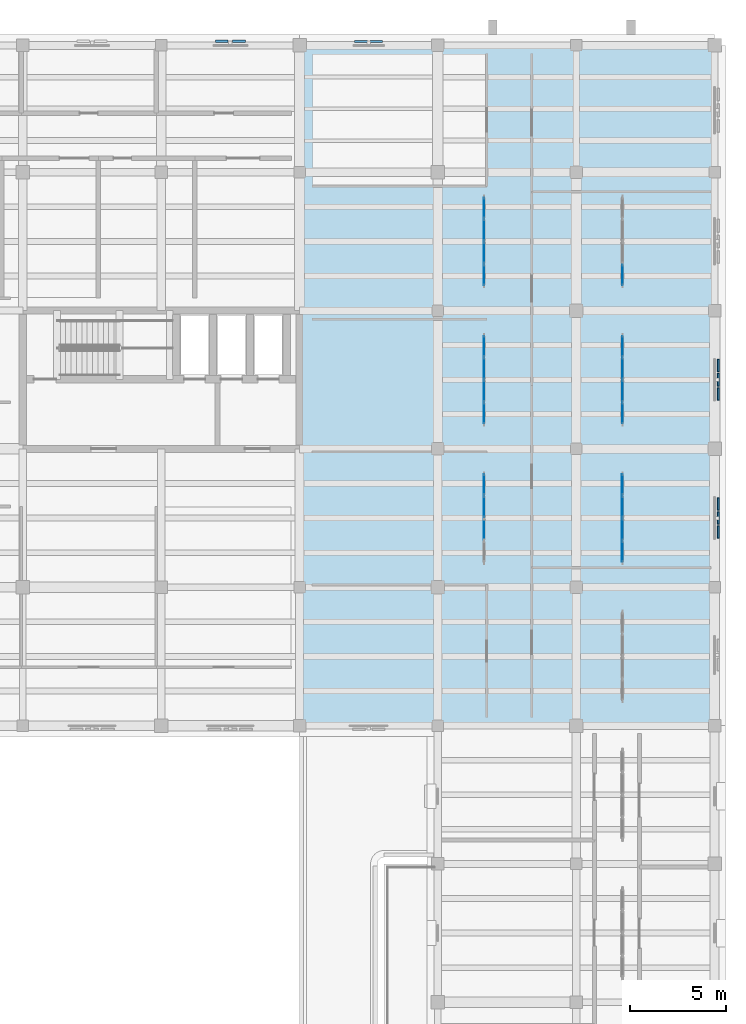
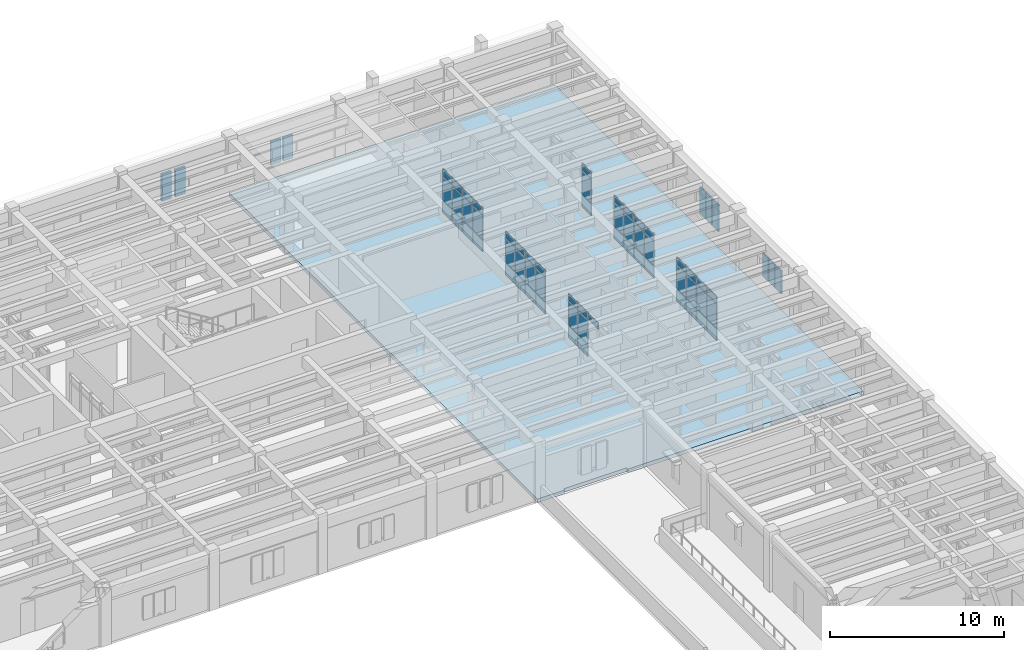
# One storey, part 17 of 40: 68 plates, 1 slab, 6 elements without a shape of their own.
"""IFC4 building model written with IfcOpenShell, lengths in metres."""

from ifc_helpers import new_model, si_unit, direction, frame, origin, origin_2d, place, context, subcontext, project, spatial, polyline, rectangle, outline, extrude, material, layer, layer_set, type_object, element, aggregate, save


model = new_model("IFC4")

# Units and contexts
model_context = context("Model", 3, precision=1e-05, world=origin(), true_north=direction((0.0, 1.0)))
body_context = subcontext(model_context, "Body", "Model", "MODEL_VIEW")
ifc_project = project(units=[si_unit("LENGTHUNIT", "METRE"), si_unit("AREAUNIT", "SQUARE_METRE"), si_unit("VOLUMEUNIT", "CUBIC_METRE"), si_unit("PLANEANGLEUNIT", "RADIAN"), si_unit("MASSUNIT", "GRAM", prefix="KILO")], contexts=[model_context])

# Site, building, storey
site_placement = place(None, origin())
site = spatial("IfcSite", under=ifc_project, at=site_placement, CompositionType="ELEMENT")
building_placement = place(site_placement, origin())
building = spatial("IfcBuilding", under=site, at=building_placement, Name="Mithqara Police Headquarters", CompositionType="ELEMENT")
storey_placement = place(building_placement, frame((0.0, 0.0, 13.800048828125)))
storey = spatial("IfcBuildingStorey", under=building, at=storey_placement, Name="L03", CompositionType="ELEMENT", Elevation=13.800048828125)

# Curtain wall, plates
ifc_material_1 = material(Name="Bronze anodised aluminium 6063-T6", Category="aluminium")
curtain_wall_type = type_object("IfcCurtainWallType", Name="CURTAIN WALL 4700X3220", PredefinedType="USERDEFINED", material=ifc_material_1)
curtain_wall_1_placement = place(storey_placement, origin())
curtain_wall_1 = element("IfcCurtainWall", 1, at=curtain_wall_1_placement, inside=storey, type_object=curtain_wall_type, Name="L03 Unitised Glazing CW-16 (CW-INT-L03-X21-Y12-0)", ObjectType="UNITISED GLAZING", PredefinedType="USERDEFINED")
ifc_material_2 = material(Name="Spectrally selective double low-e glass", Category="glass")
ifc_layer_1 = layer(ifc_material_2, 0.028076171875, Name="Spectrally selective double low-e glass")
ifc_layer_set_1 = layer_set([ifc_layer_1], Name="Spectrally selective double low-e glass")
plate_type_1 = type_object("IfcPlateType", Name="CWPANEL GLASS28", PredefinedType="CURTAIN_PANEL", material=ifc_layer_set_1)
plate_1_placement = place(storey_placement, frame((154.199951171875, 88.8125, 2.70751953125), z_axis=(0.0, 0.0, 1.0), x_axis=(0.0, 1.0, 0.0)))
plate_1 = element("IfcPlate", 2, at=plate_1_placement, type_object=plate_type_1, Name="CW-16 panel 2.3", PredefinedType="CURTAIN_PANEL", context=body_context, shape_type="SweptSolid", body=[
    extrude(rectangle(XDim=1.10009765625, YDim=0.028076171875, at=origin_2d()), origin(), (0.0, 0.0, 1.0), 0.4375),
])
plate_2_placement = place(storey_placement, frame((154.199951171875, 89.987548828125, 0.074951171875), z_axis=(0.0, 0.0, 1.0), x_axis=(0.0, 1.0, 0.0)))
plate_2 = element("IfcPlate", 3, at=plate_2_placement, type_object=plate_type_1, Name="CW-16 panel 3.1", PredefinedType="CURTAIN_PANEL", context=body_context, shape_type="SweptSolid", body=[
    extrude(rectangle(XDim=1.10009765625, YDim=0.028076171875, at=origin_2d()), origin(), (0.0, 0.0, 1.0), 0.78759765625),
])
plate_3_placement = place(storey_placement, frame((154.199951171875, 89.987548828125, 0.9375), z_axis=(0.0, 0.0, 1.0), x_axis=(0.0, 1.0, 0.0)))
plate_3 = element("IfcPlate", 4, at=plate_3_placement, type_object=plate_type_1, Name="CW-16 panel 3.2", PredefinedType="CURTAIN_PANEL", context=body_context, shape_type="SweptSolid", body=[
    extrude(rectangle(XDim=1.10009765625, YDim=0.028076171875, at=origin_2d()), origin(), (0.0, 0.0, 1.0), 1.695068359375),
])
plate_4_placement = place(storey_placement, frame((154.199951171875, 89.987548828125, 2.70751953125), z_axis=(0.0, 0.0, 1.0), x_axis=(0.0, 1.0, 0.0)))
plate_4 = element("IfcPlate", 5, at=plate_4_placement, type_object=plate_type_1, Name="CW-16 panel 3.3", PredefinedType="CURTAIN_PANEL", context=body_context, shape_type="SweptSolid", body=[
    extrude(rectangle(XDim=1.10009765625, YDim=0.028076171875, at=origin_2d()), origin(), (0.0, 0.0, 1.0), 0.4375),
])
plate_5_placement = place(storey_placement, frame((154.199951171875, 91.143798828125, 0.074951171875), z_axis=(0.0, 0.0, 1.0), x_axis=(0.0, 1.0, 0.0)))
plate_5 = element("IfcPlate", 6, at=plate_5_placement, type_object=plate_type_1, Name="CW-16 panel 4.1", PredefinedType="CURTAIN_PANEL", context=body_context, shape_type="SweptSolid", body=[
    extrude(rectangle(XDim=1.0625, YDim=0.028076171875, at=origin_2d()), origin(), (0.0, 0.0, 1.0), 0.78759765625),
])
plate_6_placement = place(storey_placement, frame((154.199951171875, 91.143798828125, 0.9375), z_axis=(0.0, 0.0, 1.0), x_axis=(0.0, 1.0, 0.0)))
plate_6 = element("IfcPlate", 7, at=plate_6_placement, type_object=plate_type_1, Name="CW-16 panel 4.2", PredefinedType="CURTAIN_PANEL", context=body_context, shape_type="SweptSolid", body=[
    extrude(rectangle(XDim=1.0625, YDim=0.028076171875, at=origin_2d()), origin(), (0.0, 0.0, 1.0), 1.695068359375),
])
plate_7_placement = place(storey_placement, frame((154.199951171875, 91.143798828125, 2.70751953125), z_axis=(0.0, 0.0, 1.0), x_axis=(0.0, 1.0, 0.0)))
plate_7 = element("IfcPlate", 8, at=plate_7_placement, type_object=plate_type_1, Name="CW-16 panel 4.3", PredefinedType="CURTAIN_PANEL", context=body_context, shape_type="SweptSolid", body=[
    extrude(rectangle(XDim=1.0625, YDim=0.028076171875, at=origin_2d()), origin(), (0.0, 0.0, 1.0), 0.4375),
])
aggregate(curtain_wall_1, [plate_1, plate_2, plate_3, plate_4, plate_5, plate_6, plate_7])

curtain_wall_2_placement = place(storey_placement, origin())
curtain_wall_2 = element("IfcCurtainWall", 9, at=curtain_wall_2_placement, inside=storey, type_object=curtain_wall_type, Name="L03 Unitised Glazing CW-16 (CW-INT-L03-X21-Y13-0)", ObjectType="UNITISED GLAZING", PredefinedType="USERDEFINED")
plate_8_placement = place(storey_placement, frame((154.199951171875, 94.856201171875, 0.074951171875), z_axis=(0.0, 0.0, 1.0), x_axis=(0.0, 1.0, 0.0)))
plate_8 = element("IfcPlate", 10, at=plate_8_placement, type_object=plate_type_1, Name="CW-16 panel 1.1", PredefinedType="CURTAIN_PANEL", context=body_context, shape_type="SweptSolid", body=[
    extrude(rectangle(XDim=1.0625, YDim=0.028076171875, at=origin_2d()), origin(), (0.0, 0.0, 1.0), 0.78759765625),
])
plate_9_placement = place(storey_placement, frame((154.199951171875, 94.856201171875, 0.9375), z_axis=(0.0, 0.0, 1.0), x_axis=(0.0, 1.0, 0.0)))
plate_9 = element("IfcPlate", 11, at=plate_9_placement, type_object=plate_type_1, Name="CW-16 panel 1.2", PredefinedType="CURTAIN_PANEL", context=body_context, shape_type="SweptSolid", body=[
    extrude(rectangle(XDim=1.0625, YDim=0.028076171875, at=origin_2d()), origin(), (0.0, 0.0, 1.0), 1.695068359375),
])
plate_10_placement = place(storey_placement, frame((154.199951171875, 94.856201171875, 2.70751953125), z_axis=(0.0, 0.0, 1.0), x_axis=(0.0, 1.0, 0.0)))
plate_10 = element("IfcPlate", 12, at=plate_10_placement, type_object=plate_type_1, Name="CW-16 panel 1.3", PredefinedType="CURTAIN_PANEL", context=body_context, shape_type="SweptSolid", body=[
    extrude(rectangle(XDim=1.0625, YDim=0.028076171875, at=origin_2d()), origin(), (0.0, 0.0, 1.0), 0.4375),
])
plate_11_placement = place(storey_placement, frame((154.199951171875, 96.012451171875, 0.074951171875), z_axis=(0.0, 0.0, 1.0), x_axis=(0.0, 1.0, 0.0)))
plate_11 = element("IfcPlate", 13, at=plate_11_placement, type_object=plate_type_1, Name="CW-16 panel 2.1", PredefinedType="CURTAIN_PANEL", context=body_context, shape_type="SweptSolid", body=[
    extrude(rectangle(XDim=1.10009765625, YDim=0.028076171875, at=origin_2d()), origin(), (0.0, 0.0, 1.0), 0.78759765625),
])
plate_12_placement = place(storey_placement, frame((154.199951171875, 96.012451171875, 0.9375), z_axis=(0.0, 0.0, 1.0), x_axis=(0.0, 1.0, 0.0)))
plate_12 = element("IfcPlate", 14, at=plate_12_placement, type_object=plate_type_1, Name="CW-16 panel 2.2", PredefinedType="CURTAIN_PANEL", context=body_context, shape_type="SweptSolid", body=[
    extrude(rectangle(XDim=1.10009765625, YDim=0.028076171875, at=origin_2d()), origin(), (0.0, 0.0, 1.0), 1.695068359375),
])
plate_13_placement = place(storey_placement, frame((154.199951171875, 96.012451171875, 2.70751953125), z_axis=(0.0, 0.0, 1.0), x_axis=(0.0, 1.0, 0.0)))
plate_13 = element("IfcPlate", 15, at=plate_13_placement, type_object=plate_type_1, Name="CW-16 panel 2.3", PredefinedType="CURTAIN_PANEL", context=body_context, shape_type="SweptSolid", body=[
    extrude(rectangle(XDim=1.10009765625, YDim=0.028076171875, at=origin_2d()), origin(), (0.0, 0.0, 1.0), 0.4375),
])
plate_14_placement = place(storey_placement, frame((154.199951171875, 97.1875, 0.074951171875), z_axis=(0.0, 0.0, 1.0), x_axis=(0.0, 1.0, 0.0)))
plate_14 = element("IfcPlate", 16, at=plate_14_placement, type_object=plate_type_1, Name="CW-16 panel 3.1", PredefinedType="CURTAIN_PANEL", context=body_context, shape_type="SweptSolid", body=[
    extrude(rectangle(XDim=1.10009765625, YDim=0.028076171875, at=origin_2d()), origin(), (0.0, 0.0, 1.0), 0.78759765625),
])
plate_15_placement = place(storey_placement, frame((154.199951171875, 97.1875, 0.9375), z_axis=(0.0, 0.0, 1.0), x_axis=(0.0, 1.0, 0.0)))
plate_15 = element("IfcPlate", 17, at=plate_15_placement, type_object=plate_type_1, Name="CW-16 panel 3.2", PredefinedType="CURTAIN_PANEL", context=body_context, shape_type="SweptSolid", body=[
    extrude(rectangle(XDim=1.10009765625, YDim=0.028076171875, at=origin_2d()), origin(), (0.0, 0.0, 1.0), 1.695068359375),
])
plate_16_placement = place(storey_placement, frame((154.199951171875, 97.1875, 2.70751953125), z_axis=(0.0, 0.0, 1.0), x_axis=(0.0, 1.0, 0.0)))
plate_16 = element("IfcPlate", 18, at=plate_16_placement, type_object=plate_type_1, Name="CW-16 panel 3.3", PredefinedType="CURTAIN_PANEL", context=body_context, shape_type="SweptSolid", body=[
    extrude(rectangle(XDim=1.10009765625, YDim=0.028076171875, at=origin_2d()), origin(), (0.0, 0.0, 1.0), 0.4375),
])
plate_17_placement = place(storey_placement, frame((154.199951171875, 98.34375, 0.074951171875), z_axis=(0.0, 0.0, 1.0), x_axis=(0.0, 1.0, 0.0)))
plate_17 = element("IfcPlate", 19, at=plate_17_placement, type_object=plate_type_1, Name="CW-16 panel 4.1", PredefinedType="CURTAIN_PANEL", context=body_context, shape_type="SweptSolid", body=[
    extrude(rectangle(XDim=1.0625, YDim=0.028076171875, at=origin_2d()), origin(), (0.0, 0.0, 1.0), 0.78759765625),
])
plate_18_placement = place(storey_placement, frame((154.199951171875, 98.34375, 0.9375), z_axis=(0.0, 0.0, 1.0), x_axis=(0.0, 1.0, 0.0)))
plate_18 = element("IfcPlate", 20, at=plate_18_placement, type_object=plate_type_1, Name="CW-16 panel 4.2", PredefinedType="CURTAIN_PANEL", context=body_context, shape_type="SweptSolid", body=[
    extrude(rectangle(XDim=1.0625, YDim=0.028076171875, at=origin_2d()), origin(), (0.0, 0.0, 1.0), 1.695068359375),
])
plate_19_placement = place(storey_placement, frame((154.199951171875, 98.34375, 2.70751953125), z_axis=(0.0, 0.0, 1.0), x_axis=(0.0, 1.0, 0.0)))
plate_19 = element("IfcPlate", 21, at=plate_19_placement, type_object=plate_type_1, Name="CW-16 panel 4.3", PredefinedType="CURTAIN_PANEL", context=body_context, shape_type="SweptSolid", body=[
    extrude(rectangle(XDim=1.0625, YDim=0.028076171875, at=origin_2d()), origin(), (0.0, 0.0, 1.0), 0.4375),
])
aggregate(curtain_wall_2, [plate_8, plate_9, plate_10, plate_11, plate_12, plate_13, plate_14, plate_15, plate_16, plate_17, plate_18, plate_19])

curtain_wall_3_placement = place(storey_placement, origin())
curtain_wall_3 = element("IfcCurtainWall", 22, at=curtain_wall_3_placement, inside=storey, type_object=curtain_wall_type, Name="L03 Unitised Glazing CW-16 (CW-INT-L03-X22-Y13-0)", ObjectType="UNITISED GLAZING", PredefinedType="USERDEFINED")
plate_20_placement = place(storey_placement, frame((161.39990234375, 94.856201171875, 0.074951171875), z_axis=(0.0, 0.0, 1.0), x_axis=(0.0, 1.0, 0.0)))
plate_20 = element("IfcPlate", 23, at=plate_20_placement, type_object=plate_type_1, Name="CW-16 panel 1.1", PredefinedType="CURTAIN_PANEL", context=body_context, shape_type="SweptSolid", body=[
    extrude(rectangle(XDim=1.0625, YDim=0.028076171875, at=origin_2d()), origin(), (0.0, 0.0, 1.0), 0.78759765625),
])
plate_21_placement = place(storey_placement, frame((161.39990234375, 94.856201171875, 0.9375), z_axis=(0.0, 0.0, 1.0), x_axis=(0.0, 1.0, 0.0)))
plate_21 = element("IfcPlate", 24, at=plate_21_placement, type_object=plate_type_1, Name="CW-16 panel 1.2", PredefinedType="CURTAIN_PANEL", context=body_context, shape_type="SweptSolid", body=[
    extrude(rectangle(XDim=1.0625, YDim=0.028076171875, at=origin_2d()), origin(), (0.0, 0.0, 1.0), 1.695068359375),
])
plate_22_placement = place(storey_placement, frame((161.39990234375, 94.856201171875, 2.70751953125), z_axis=(0.0, 0.0, 1.0), x_axis=(0.0, 1.0, 0.0)))
plate_22 = element("IfcPlate", 25, at=plate_22_placement, type_object=plate_type_1, Name="CW-16 panel 1.3", PredefinedType="CURTAIN_PANEL", context=body_context, shape_type="SweptSolid", body=[
    extrude(rectangle(XDim=1.0625, YDim=0.028076171875, at=origin_2d()), origin(), (0.0, 0.0, 1.0), 0.4375),
])
plate_23_placement = place(storey_placement, frame((161.39990234375, 96.012451171875, 0.074951171875), z_axis=(0.0, 0.0, 1.0), x_axis=(0.0, 1.0, 0.0)))
plate_23 = element("IfcPlate", 26, at=plate_23_placement, type_object=plate_type_1, Name="CW-16 panel 2.1", PredefinedType="CURTAIN_PANEL", context=body_context, shape_type="SweptSolid", body=[
    extrude(rectangle(XDim=1.10009765625, YDim=0.028076171875, at=origin_2d()), origin(), (0.0, 0.0, 1.0), 0.78759765625),
])
plate_24_placement = place(storey_placement, frame((161.39990234375, 96.012451171875, 0.9375), z_axis=(0.0, 0.0, 1.0), x_axis=(0.0, 1.0, 0.0)))
plate_24 = element("IfcPlate", 27, at=plate_24_placement, type_object=plate_type_1, Name="CW-16 panel 2.2", PredefinedType="CURTAIN_PANEL", context=body_context, shape_type="SweptSolid", body=[
    extrude(rectangle(XDim=1.10009765625, YDim=0.028076171875, at=origin_2d()), origin(), (0.0, 0.0, 1.0), 1.695068359375),
])
plate_25_placement = place(storey_placement, frame((161.39990234375, 96.012451171875, 2.70751953125), z_axis=(0.0, 0.0, 1.0), x_axis=(0.0, 1.0, 0.0)))
plate_25 = element("IfcPlate", 28, at=plate_25_placement, type_object=plate_type_1, Name="CW-16 panel 2.3", PredefinedType="CURTAIN_PANEL", context=body_context, shape_type="SweptSolid", body=[
    extrude(rectangle(XDim=1.10009765625, YDim=0.028076171875, at=origin_2d()), origin(), (0.0, 0.0, 1.0), 0.4375),
])
plate_26_placement = place(storey_placement, frame((161.39990234375, 97.1875, 0.074951171875), z_axis=(0.0, 0.0, 1.0), x_axis=(0.0, 1.0, 0.0)))
plate_26 = element("IfcPlate", 29, at=plate_26_placement, type_object=plate_type_1, Name="CW-16 panel 3.1", PredefinedType="CURTAIN_PANEL", context=body_context, shape_type="SweptSolid", body=[
    extrude(rectangle(XDim=1.10009765625, YDim=0.028076171875, at=origin_2d()), origin(), (0.0, 0.0, 1.0), 0.78759765625),
])
plate_27_placement = place(storey_placement, frame((161.39990234375, 97.1875, 0.9375), z_axis=(0.0, 0.0, 1.0), x_axis=(0.0, 1.0, 0.0)))
plate_27 = element("IfcPlate", 30, at=plate_27_placement, type_object=plate_type_1, Name="CW-16 panel 3.2", PredefinedType="CURTAIN_PANEL", context=body_context, shape_type="SweptSolid", body=[
    extrude(rectangle(XDim=1.10009765625, YDim=0.028076171875, at=origin_2d()), origin(), (0.0, 0.0, 1.0), 1.695068359375),
])
plate_28_placement = place(storey_placement, frame((161.39990234375, 97.1875, 2.70751953125), z_axis=(0.0, 0.0, 1.0), x_axis=(0.0, 1.0, 0.0)))
plate_28 = element("IfcPlate", 31, at=plate_28_placement, type_object=plate_type_1, Name="CW-16 panel 3.3", PredefinedType="CURTAIN_PANEL", context=body_context, shape_type="SweptSolid", body=[
    extrude(rectangle(XDim=1.10009765625, YDim=0.028076171875, at=origin_2d()), origin(), (0.0, 0.0, 1.0), 0.4375),
])
plate_29_placement = place(storey_placement, frame((161.39990234375, 98.34375, 0.074951171875), z_axis=(0.0, 0.0, 1.0), x_axis=(0.0, 1.0, 0.0)))
plate_29 = element("IfcPlate", 32, at=plate_29_placement, type_object=plate_type_1, Name="CW-16 panel 4.1", PredefinedType="CURTAIN_PANEL", context=body_context, shape_type="SweptSolid", body=[
    extrude(rectangle(XDim=1.0625, YDim=0.028076171875, at=origin_2d()), origin(), (0.0, 0.0, 1.0), 0.78759765625),
])
plate_30_placement = place(storey_placement, frame((161.39990234375, 98.34375, 0.9375), z_axis=(0.0, 0.0, 1.0), x_axis=(0.0, 1.0, 0.0)))
plate_30 = element("IfcPlate", 33, at=plate_30_placement, type_object=plate_type_1, Name="CW-16 panel 4.2", PredefinedType="CURTAIN_PANEL", context=body_context, shape_type="SweptSolid", body=[
    extrude(rectangle(XDim=1.0625, YDim=0.028076171875, at=origin_2d()), origin(), (0.0, 0.0, 1.0), 1.695068359375),
])
plate_31_placement = place(storey_placement, frame((161.39990234375, 98.34375, 2.70751953125), z_axis=(0.0, 0.0, 1.0), x_axis=(0.0, 1.0, 0.0)))
plate_31 = element("IfcPlate", 34, at=plate_31_placement, type_object=plate_type_1, Name="CW-16 panel 4.3", PredefinedType="CURTAIN_PANEL", context=body_context, shape_type="SweptSolid", body=[
    extrude(rectangle(XDim=1.0625, YDim=0.028076171875, at=origin_2d()), origin(), (0.0, 0.0, 1.0), 0.4375),
])
aggregate(curtain_wall_3, [plate_20, plate_21, plate_22, plate_23, plate_24, plate_25, plate_26, plate_27, plate_28, plate_29, plate_30, plate_31])

curtain_wall_4_placement = place(storey_placement, origin())
curtain_wall_4 = element("IfcCurtainWall", 35, at=curtain_wall_4_placement, inside=storey, type_object=curtain_wall_type, Name="L03 Unitised Glazing CW-16 (CW-INT-L03-X22-Y14-0)", ObjectType="UNITISED GLAZING", PredefinedType="USERDEFINED")
plate_32_placement = place(storey_placement, frame((161.39990234375, 102.05615234375, 0.074951171875), z_axis=(0.0, 0.0, 1.0), x_axis=(0.0, 1.0, 0.0)))
plate_32 = element("IfcPlate", 36, at=plate_32_placement, type_object=plate_type_1, Name="CW-16 panel 1.1", PredefinedType="CURTAIN_PANEL", context=body_context, shape_type="SweptSolid", body=[
    extrude(rectangle(XDim=1.0625, YDim=0.028076171875, at=origin_2d()), origin(), (0.0, 0.0, 1.0), 0.78759765625),
])
plate_33_placement = place(storey_placement, frame((161.39990234375, 102.05615234375, 0.9375), z_axis=(0.0, 0.0, 1.0), x_axis=(0.0, 1.0, 0.0)))
plate_33 = element("IfcPlate", 37, at=plate_33_placement, type_object=plate_type_1, Name="CW-16 panel 1.2", PredefinedType="CURTAIN_PANEL", context=body_context, shape_type="SweptSolid", body=[
    extrude(rectangle(XDim=1.0625, YDim=0.028076171875, at=origin_2d()), origin(), (0.0, 0.0, 1.0), 1.695068359375),
])
plate_34_placement = place(storey_placement, frame((161.39990234375, 102.05615234375, 2.70751953125), z_axis=(0.0, 0.0, 1.0), x_axis=(0.0, 1.0, 0.0)))
plate_34 = element("IfcPlate", 38, at=plate_34_placement, type_object=plate_type_1, Name="CW-16 panel 1.3", PredefinedType="CURTAIN_PANEL", context=body_context, shape_type="SweptSolid", body=[
    extrude(rectangle(XDim=1.0625, YDim=0.028076171875, at=origin_2d()), origin(), (0.0, 0.0, 1.0), 0.4375),
])
aggregate(curtain_wall_4, [plate_32, plate_33, plate_34])

curtain_wall_5_placement = place(storey_placement, origin())
curtain_wall_5 = element("IfcCurtainWall", 39, at=curtain_wall_5_placement, inside=storey, type_object=curtain_wall_type, Name="L03 Unitised Glazing CW-16 (CW-INT-L03-X21-Y14-0)", ObjectType="UNITISED GLAZING", PredefinedType="USERDEFINED")
ifc_material_3 = material(Name="Insulated bronze aluminium spandrel panel", Category="aluminium")
ifc_layer_2 = layer(ifc_material_3, 0.048095703125, Name="Insulated bronze aluminium spandrel panel")
ifc_layer_set_2 = layer_set([ifc_layer_2], Name="Insulated bronze aluminium spandrel panel")
plate_type_2 = type_object("IfcPlateType", Name="CWPANEL SPANDREL48", PredefinedType="CURTAIN_PANEL", material=ifc_layer_set_2)
plate_35_placement = place(storey_placement, frame((154.199951171875, 102.05615234375, 0.074951171875), z_axis=(0.0, 0.0, 1.0), x_axis=(0.0, 1.0, 0.0)))
plate_35 = element("IfcPlate", 40, at=plate_35_placement, type_object=plate_type_2, Name="CW-16 panel 1.1", PredefinedType="CURTAIN_PANEL", context=body_context, shape_type="SweptSolid", body=[
    extrude(rectangle(XDim=1.0625, YDim=0.048095703125, at=origin_2d()), origin(), (0.0, 0.0, 1.0), 0.78759765625),
])
plate_36_placement = place(storey_placement, frame((154.199951171875, 102.05615234375, 0.9375), z_axis=(0.0, 0.0, 1.0), x_axis=(0.0, 1.0, 0.0)))
plate_36 = element("IfcPlate", 41, at=plate_36_placement, type_object=plate_type_2, Name="CW-16 panel 1.2", PredefinedType="CURTAIN_PANEL", context=body_context, shape_type="SweptSolid", body=[
    extrude(rectangle(XDim=1.0625, YDim=0.048095703125, at=origin_2d()), origin(), (0.0, 0.0, 1.0), 1.695068359375),
])
plate_37_placement = place(storey_placement, frame((154.199951171875, 102.05615234375, 2.70751953125), z_axis=(0.0, 0.0, 1.0), x_axis=(0.0, 1.0, 0.0)))
plate_37 = element("IfcPlate", 42, at=plate_37_placement, type_object=plate_type_2, Name="CW-16 panel 1.3", PredefinedType="CURTAIN_PANEL", context=body_context, shape_type="SweptSolid", body=[
    extrude(rectangle(XDim=1.0625, YDim=0.048095703125, at=origin_2d()), origin(), (0.0, 0.0, 1.0), 0.4375),
])
plate_38_placement = place(storey_placement, frame((154.199951171875, 103.21240234375, 0.074951171875), z_axis=(0.0, 0.0, 1.0), x_axis=(0.0, 1.0, 0.0)))
plate_38 = element("IfcPlate", 43, at=plate_38_placement, type_object=plate_type_2, Name="CW-16 panel 2.1", PredefinedType="CURTAIN_PANEL", context=body_context, shape_type="SweptSolid", body=[
    extrude(rectangle(XDim=1.10009765625, YDim=0.048095703125, at=origin_2d()), origin(), (0.0, 0.0, 1.0), 0.78759765625),
])
plate_39_placement = place(storey_placement, frame((154.199951171875, 103.21240234375, 0.9375), z_axis=(0.0, 0.0, 1.0), x_axis=(0.0, 1.0, 0.0)))
plate_39 = element("IfcPlate", 44, at=plate_39_placement, type_object=plate_type_2, Name="CW-16 panel 2.2", PredefinedType="CURTAIN_PANEL", context=body_context, shape_type="SweptSolid", body=[
    extrude(rectangle(XDim=1.10009765625, YDim=0.048095703125, at=origin_2d()), origin(), (0.0, 0.0, 1.0), 1.695068359375),
])
plate_40_placement = place(storey_placement, frame((154.199951171875, 103.21240234375, 2.70751953125), z_axis=(0.0, 0.0, 1.0), x_axis=(0.0, 1.0, 0.0)))
plate_40 = element("IfcPlate", 45, at=plate_40_placement, type_object=plate_type_2, Name="CW-16 panel 2.3", PredefinedType="CURTAIN_PANEL", context=body_context, shape_type="SweptSolid", body=[
    extrude(rectangle(XDim=1.10009765625, YDim=0.048095703125, at=origin_2d()), origin(), (0.0, 0.0, 1.0), 0.4375),
])
plate_41_placement = place(storey_placement, frame((154.199951171875, 104.387451171875, 0.074951171875), z_axis=(0.0, 0.0, 1.0), x_axis=(0.0, 1.0, 0.0)))
plate_41 = element("IfcPlate", 46, at=plate_41_placement, type_object=plate_type_2, Name="CW-16 panel 3.1", PredefinedType="CURTAIN_PANEL", context=body_context, shape_type="SweptSolid", body=[
    extrude(rectangle(XDim=1.10009765625, YDim=0.048095703125, at=origin_2d()), origin(), (0.0, 0.0, 1.0), 0.78759765625),
])
plate_42_placement = place(storey_placement, frame((154.199951171875, 104.387451171875, 0.9375), z_axis=(0.0, 0.0, 1.0), x_axis=(0.0, 1.0, 0.0)))
plate_42 = element("IfcPlate", 47, at=plate_42_placement, type_object=plate_type_2, Name="CW-16 panel 3.2", PredefinedType="CURTAIN_PANEL", context=body_context, shape_type="SweptSolid", body=[
    extrude(rectangle(XDim=1.10009765625, YDim=0.048095703125, at=origin_2d()), origin(), (0.0, 0.0, 1.0), 1.695068359375),
])
plate_43_placement = place(storey_placement, frame((154.199951171875, 104.387451171875, 2.70751953125), z_axis=(0.0, 0.0, 1.0), x_axis=(0.0, 1.0, 0.0)))
plate_43 = element("IfcPlate", 48, at=plate_43_placement, type_object=plate_type_2, Name="CW-16 panel 3.3", PredefinedType="CURTAIN_PANEL", context=body_context, shape_type="SweptSolid", body=[
    extrude(rectangle(XDim=1.10009765625, YDim=0.048095703125, at=origin_2d()), origin(), (0.0, 0.0, 1.0), 0.4375),
])
plate_44_placement = place(storey_placement, frame((154.199951171875, 105.543701171875, 0.074951171875), z_axis=(0.0, 0.0, 1.0), x_axis=(0.0, 1.0, 0.0)))
plate_44 = element("IfcPlate", 49, at=plate_44_placement, type_object=plate_type_2, Name="CW-16 panel 4.1", PredefinedType="CURTAIN_PANEL", context=body_context, shape_type="SweptSolid", body=[
    extrude(rectangle(XDim=1.0625, YDim=0.048095703125, at=origin_2d()), origin(), (0.0, 0.0, 1.0), 0.78759765625),
])
plate_45_placement = place(storey_placement, frame((154.199951171875, 105.543701171875, 0.9375), z_axis=(0.0, 0.0, 1.0), x_axis=(0.0, 1.0, 0.0)))
plate_45 = element("IfcPlate", 50, at=plate_45_placement, type_object=plate_type_2, Name="CW-16 panel 4.2", PredefinedType="CURTAIN_PANEL", context=body_context, shape_type="SweptSolid", body=[
    extrude(rectangle(XDim=1.0625, YDim=0.048095703125, at=origin_2d()), origin(), (0.0, 0.0, 1.0), 1.695068359375),
])
plate_46_placement = place(storey_placement, frame((154.199951171875, 105.543701171875, 2.70751953125), z_axis=(0.0, 0.0, 1.0), x_axis=(0.0, 1.0, 0.0)))
plate_46 = element("IfcPlate", 51, at=plate_46_placement, type_object=plate_type_2, Name="CW-16 panel 4.3", PredefinedType="CURTAIN_PANEL", context=body_context, shape_type="SweptSolid", body=[
    extrude(rectangle(XDim=1.0625, YDim=0.048095703125, at=origin_2d()), origin(), (0.0, 0.0, 1.0), 0.4375),
])
aggregate(curtain_wall_5, [plate_35, plate_36, plate_37, plate_38, plate_39, plate_40, plate_41, plate_42, plate_43, plate_44, plate_45, plate_46])

curtain_wall_6_placement = place(storey_placement, origin())
curtain_wall_6 = element("IfcCurtainWall", 52, at=curtain_wall_6_placement, inside=storey, type_object=curtain_wall_type, Name="L03 Unitised Glazing CW-16 (CW-INT-L03-X22-Y12-0)", ObjectType="UNITISED GLAZING", PredefinedType="USERDEFINED")
plate_47_placement = place(storey_placement, frame((161.39990234375, 87.65625, 0.074951171875), z_axis=(0.0, 0.0, 1.0), x_axis=(0.0, 1.0, 0.0)))
plate_47 = element("IfcPlate", 53, at=plate_47_placement, type_object=plate_type_2, Name="CW-16 panel 1.1", PredefinedType="CURTAIN_PANEL", context=body_context, shape_type="SweptSolid", body=[
    extrude(rectangle(XDim=1.0625, YDim=0.048095703125, at=origin_2d()), origin(), (0.0, 0.0, 1.0), 0.78759765625),
])
plate_48_placement = place(storey_placement, frame((161.39990234375, 87.65625, 0.9375), z_axis=(0.0, 0.0, 1.0), x_axis=(0.0, 1.0, 0.0)))
plate_48 = element("IfcPlate", 54, at=plate_48_placement, type_object=plate_type_2, Name="CW-16 panel 1.2", PredefinedType="CURTAIN_PANEL", context=body_context, shape_type="SweptSolid", body=[
    extrude(rectangle(XDim=1.0625, YDim=0.048095703125, at=origin_2d()), origin(), (0.0, 0.0, 1.0), 1.695068359375),
])
plate_49_placement = place(storey_placement, frame((161.39990234375, 87.65625, 2.70751953125), z_axis=(0.0, 0.0, 1.0), x_axis=(0.0, 1.0, 0.0)))
plate_49 = element("IfcPlate", 55, at=plate_49_placement, type_object=plate_type_2, Name="CW-16 panel 1.3", PredefinedType="CURTAIN_PANEL", context=body_context, shape_type="SweptSolid", body=[
    extrude(rectangle(XDim=1.0625, YDim=0.048095703125, at=origin_2d()), origin(), (0.0, 0.0, 1.0), 0.4375),
])
plate_50_placement = place(storey_placement, frame((161.39990234375, 88.8125, 0.074951171875), z_axis=(0.0, 0.0, 1.0), x_axis=(0.0, 1.0, 0.0)))
plate_50 = element("IfcPlate", 56, at=plate_50_placement, type_object=plate_type_2, Name="CW-16 panel 2.1", PredefinedType="CURTAIN_PANEL", context=body_context, shape_type="SweptSolid", body=[
    extrude(rectangle(XDim=1.10009765625, YDim=0.048095703125, at=origin_2d()), origin(), (0.0, 0.0, 1.0), 0.78759765625),
])
plate_51_placement = place(storey_placement, frame((161.39990234375, 88.8125, 0.9375), z_axis=(0.0, 0.0, 1.0), x_axis=(0.0, 1.0, 0.0)))
plate_51 = element("IfcPlate", 57, at=plate_51_placement, type_object=plate_type_2, Name="CW-16 panel 2.2", PredefinedType="CURTAIN_PANEL", context=body_context, shape_type="SweptSolid", body=[
    extrude(rectangle(XDim=1.10009765625, YDim=0.048095703125, at=origin_2d()), origin(), (0.0, 0.0, 1.0), 1.695068359375),
])
plate_52_placement = place(storey_placement, frame((161.39990234375, 88.8125, 2.70751953125), z_axis=(0.0, 0.0, 1.0), x_axis=(0.0, 1.0, 0.0)))
plate_52 = element("IfcPlate", 58, at=plate_52_placement, type_object=plate_type_2, Name="CW-16 panel 2.3", PredefinedType="CURTAIN_PANEL", context=body_context, shape_type="SweptSolid", body=[
    extrude(rectangle(XDim=1.10009765625, YDim=0.048095703125, at=origin_2d()), origin(), (0.0, 0.0, 1.0), 0.4375),
])
plate_53_placement = place(storey_placement, frame((161.39990234375, 89.987548828125, 0.074951171875), z_axis=(0.0, 0.0, 1.0), x_axis=(0.0, 1.0, 0.0)))
plate_53 = element("IfcPlate", 59, at=plate_53_placement, type_object=plate_type_2, Name="CW-16 panel 3.1", PredefinedType="CURTAIN_PANEL", context=body_context, shape_type="SweptSolid", body=[
    extrude(rectangle(XDim=1.10009765625, YDim=0.048095703125, at=origin_2d()), origin(), (0.0, 0.0, 1.0), 0.78759765625),
])
plate_54_placement = place(storey_placement, frame((161.39990234375, 89.987548828125, 0.9375), z_axis=(0.0, 0.0, 1.0), x_axis=(0.0, 1.0, 0.0)))
plate_54 = element("IfcPlate", 60, at=plate_54_placement, type_object=plate_type_2, Name="CW-16 panel 3.2", PredefinedType="CURTAIN_PANEL", context=body_context, shape_type="SweptSolid", body=[
    extrude(rectangle(XDim=1.10009765625, YDim=0.048095703125, at=origin_2d()), origin(), (0.0, 0.0, 1.0), 1.695068359375),
])
plate_55_placement = place(storey_placement, frame((161.39990234375, 89.987548828125, 2.70751953125), z_axis=(0.0, 0.0, 1.0), x_axis=(0.0, 1.0, 0.0)))
plate_55 = element("IfcPlate", 61, at=plate_55_placement, type_object=plate_type_2, Name="CW-16 panel 3.3", PredefinedType="CURTAIN_PANEL", context=body_context, shape_type="SweptSolid", body=[
    extrude(rectangle(XDim=1.10009765625, YDim=0.048095703125, at=origin_2d()), origin(), (0.0, 0.0, 1.0), 0.4375),
])
plate_56_placement = place(storey_placement, frame((161.39990234375, 91.143798828125, 0.074951171875), z_axis=(0.0, 0.0, 1.0), x_axis=(0.0, 1.0, 0.0)))
plate_56 = element("IfcPlate", 62, at=plate_56_placement, type_object=plate_type_2, Name="CW-16 panel 4.1", PredefinedType="CURTAIN_PANEL", context=body_context, shape_type="SweptSolid", body=[
    extrude(rectangle(XDim=1.0625, YDim=0.048095703125, at=origin_2d()), origin(), (0.0, 0.0, 1.0), 0.78759765625),
])
plate_57_placement = place(storey_placement, frame((161.39990234375, 91.143798828125, 0.9375), z_axis=(0.0, 0.0, 1.0), x_axis=(0.0, 1.0, 0.0)))
plate_57 = element("IfcPlate", 63, at=plate_57_placement, type_object=plate_type_2, Name="CW-16 panel 4.2", PredefinedType="CURTAIN_PANEL", context=body_context, shape_type="SweptSolid", body=[
    extrude(rectangle(XDim=1.0625, YDim=0.048095703125, at=origin_2d()), origin(), (0.0, 0.0, 1.0), 1.695068359375),
])
plate_58_placement = place(storey_placement, frame((161.39990234375, 91.143798828125, 2.70751953125), z_axis=(0.0, 0.0, 1.0), x_axis=(0.0, 1.0, 0.0)))
plate_58 = element("IfcPlate", 64, at=plate_58_placement, type_object=plate_type_2, Name="CW-16 panel 4.3", PredefinedType="CURTAIN_PANEL", context=body_context, shape_type="SweptSolid", body=[
    extrude(rectangle(XDim=1.0625, YDim=0.048095703125, at=origin_2d()), origin(), (0.0, 0.0, 1.0), 0.4375),
])
aggregate(curtain_wall_6, [plate_47, plate_48, plate_49, plate_50, plate_51, plate_52, plate_53, plate_54, plate_55, plate_56, plate_57, plate_58])

# Slab
ifc_material_4 = material(Name="Concrete C40/50", Category="concrete")
ifc_layer_3 = layer(ifc_material_4, 0.260009765625, Name="Concrete C40/50")
ifc_layer_set_3 = layer_set([ifc_layer_3], Name="Concrete C40/50")
slab_type = type_object("IfcSlabType", Name="FLOOR SLAB 260", PredefinedType="FLOOR", material=ifc_layer_set_3)
slab_placement = place(storey_placement, frame((0.0, 0.0, -0.260009765625)))
element("IfcSlab", 65, at=slab_placement, inside=storey, type_object=slab_type, Name="L03 Structural Slab L03-V1B", PredefinedType="FLOOR", context=body_context, shape_type="SweptSolid", body=[
    extrude(outline(polyline([(166.199951171875, 78.60009765625), (150.60009765625, 78.60009765625), (150.60009765625, 78.739990234375), (146.39990234375, 78.739990234375), (146.39990234375, 78.60009765625), (144.60009765625, 78.60009765625), (144.60009765625, 114.0), (166.199951171875, 114.0), (166.199951171875, 78.60009765625)])), origin(), (0.0, 0.0, 1.0), 0.260009765625),
])

# Plates
ifc_material_5 = material(Name="Limestone ashlar masonry, 45 MPa", Category="masonry")
ifc_layer_4 = layer(ifc_material_5, 0.10009765625, Name="Limestone ashlar masonry, 45 MPa")
ifc_layer_set_4 = layer_set([ifc_layer_4], Name="Limestone ashlar masonry, 45 MPa")
plate_type_3 = type_object("IfcPlateType", Name="STONE SCREEN 100", PredefinedType="USERDEFINED", material=ifc_layer_set_4)
for number, where, z_axis, x_axis, name in (
    (66, (166.39990234375, 88.666748046875, 0.830078125), (0.0, 0.0, 1.0), (0.0, 1.0, 0.0), "L03 Pierced Limestone Vertical-Slit Panel 131"),
    (67, (166.39990234375, 89.39990234375, 0.830078125), (0.0, 0.0, 1.0), (0.0, 1.0, 0.0), "L03 Pierced Limestone Vertical-Slit Panel 132"),
    (68, (166.39990234375, 90.13330078125, 0.830078125), (0.0, 0.0, 1.0), (0.0, 1.0, 0.0), "L03 Pierced Limestone Vertical-Slit Panel 133"),
):
    element("IfcPlate", number, at=place(storey_placement, frame(where, z_axis=z_axis, x_axis=x_axis)), inside=storey, type_object=plate_type_3, Name=name, ObjectType="STONE SCREEN", PredefinedType="USERDEFINED", context=body_context, shape_type="SweptSolid", body=[
        extrude(rectangle(XDim=0.656005859375, YDim=0.10009765625, at=origin_2d()), origin(), (0.0, 0.0, 1.0), 1.639892578125),
    ])
for number, where, z_axis, x_axis, name in (
    (69, (166.39990234375, 95.86669921875, 0.830078125), (0.0, 0.0, 1.0), (0.0, 1.0, 0.0), "L03 Pierced Limestone Vertical-Slit Panel 134"),
    (70, (166.39990234375, 96.60009765625, 0.830078125), (0.0, 0.0, 1.0), (0.0, 1.0, 0.0), "L03 Pierced Limestone Vertical-Slit Panel 135"),
    (71, (166.39990234375, 97.333251953125, 0.830078125), (0.0, 0.0, 1.0), (0.0, 1.0, 0.0), "L03 Pierced Limestone Vertical-Slit Panel 136"),
):
    element("IfcPlate", number, at=place(storey_placement, frame(where, z_axis=z_axis, x_axis=x_axis)), inside=storey, type_object=plate_type_3, Name=name, ObjectType="STONE SCREEN", PredefinedType="USERDEFINED", context=body_context, shape_type="SweptSolid", body=[
        extrude(rectangle(XDim=0.656005859375, YDim=0.10009765625, at=origin_2d()), origin(), (0.0, 0.0, 1.0), 1.889892578125),
    ])
ifc_layer_5 = layer(ifc_material_5, 0.1201171875, Name="Limestone ashlar masonry, 45 MPa")
ifc_layer_set_5 = layer_set([ifc_layer_5], Name="Limestone ashlar masonry, 45 MPa")
plate_type_4 = type_object("IfcPlateType", Name="STONE SCREEN 120", PredefinedType="USERDEFINED", material=ifc_layer_set_5)
for number, where, z_axis, x_axis, name in (
    (72, (148.60009765625, 114.2099609375, 0.830078125), (0.0, 0.0, 1.0), (1.0, 0.0, 0.0), "L03 Pierced Limestone Vertical-Slit Panel 143"),
    (73, (147.800048828125, 114.2099609375, 0.830078125), (0.0, 0.0, 1.0), (1.0, 0.0, 0.0), "L03 Pierced Limestone Vertical-Slit Panel 144"),
):
    element("IfcPlate", number, at=place(storey_placement, frame(where, z_axis=z_axis, x_axis=x_axis)), inside=storey, type_object=plate_type_4, Name=name, ObjectType="STONE SCREEN", PredefinedType="USERDEFINED", context=body_context, shape_type="SweptSolid", body=[
        extrude(rectangle(XDim=0.656005859375, YDim=0.1201171875, at=origin_2d()), origin(), (0.0, 0.0, 1.0), 1.639892578125),
    ])
ifc_layer_6 = layer(ifc_material_5, 0.139892578125, Name="Limestone ashlar masonry, 45 MPa")
ifc_layer_set_6 = layer_set([ifc_layer_6], Name="Limestone ashlar masonry, 45 MPa")
plate_type_5 = type_object("IfcPlateType", Name="STONE SCREEN 140", PredefinedType="USERDEFINED", material=ifc_layer_set_6)
for number, where, z_axis, x_axis, name in (
    (74, (141.449951171875, 114.219970703125, 0.830078125), (0.0, 0.0, 1.0), (1.0, 0.0, 0.0), "L03 Pierced Limestone Vertical-Slit Panel 153"),
    (75, (140.550048828125, 114.219970703125, 0.830078125), (0.0, 0.0, 1.0), (1.0, 0.0, 0.0), "L03 Pierced Limestone Vertical-Slit Panel 154"),
):
    element("IfcPlate", number, at=place(storey_placement, frame(where, z_axis=z_axis, x_axis=x_axis)), inside=storey, type_object=plate_type_5, Name=name, ObjectType="STONE SCREEN", PredefinedType="USERDEFINED", context=body_context, shape_type="SweptSolid", body=[
        extrude(rectangle(XDim=0.656005859375, YDim=0.139892578125, at=origin_2d()), origin(), (0.0, 0.0, 1.0), 1.889892578125),
    ])

save(model, "model.ifc")
